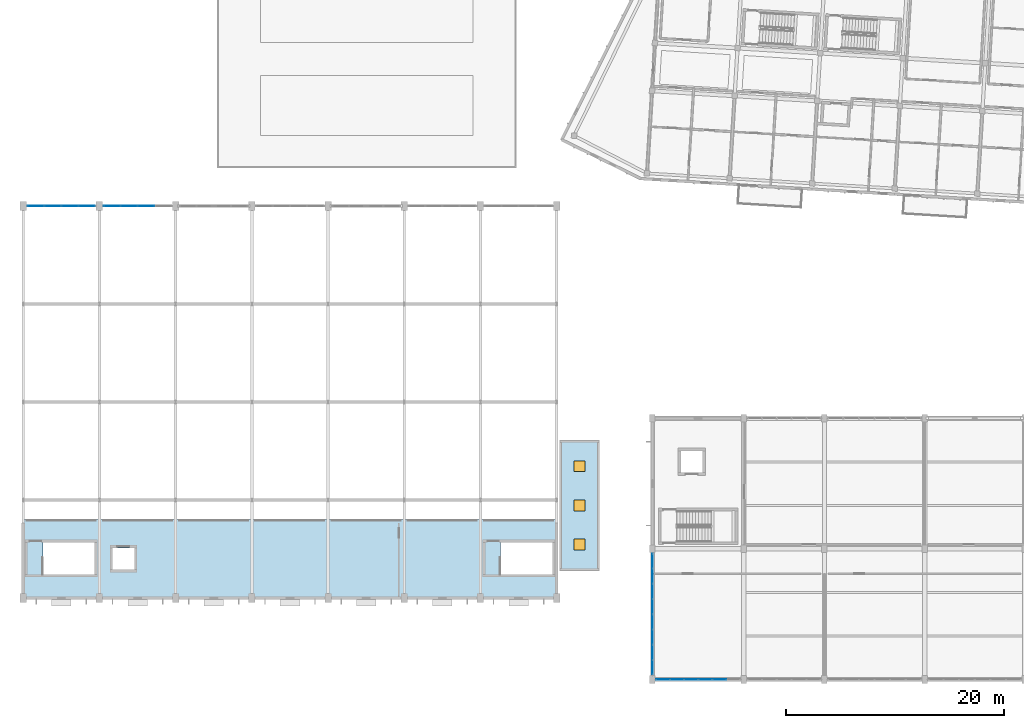
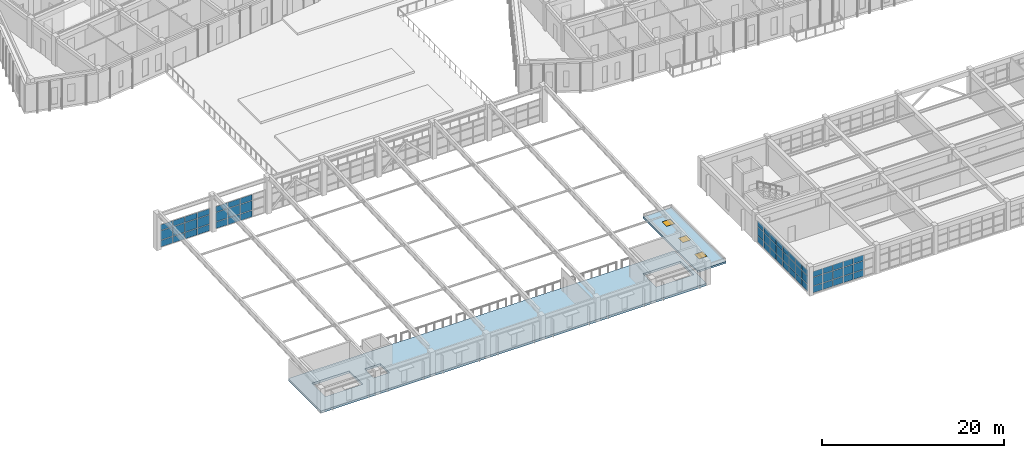
# One storey, part 67 of 150: 60 plates, 3 doors, 2 slabs, 3 openings, 4 elements without a shape of their own.
"""IFC4 building model written with IfcOpenShell, lengths in metres."""

from ifc_helpers import new_model, si_unit, direction, frame, origin, origin_2d, place, context, subcontext, project, spatial, polyline, rectangle, outline, extrude, material, layer, layer_set, type_object, element, fill, aggregate, save


model = new_model("IFC4")

# Units and contexts
model_context = context("Model", 3, precision=1e-05, world=origin(), true_north=direction((0.0, 1.0)))
body_context = subcontext(model_context, "Body", "Model", "MODEL_VIEW")
ifc_project = project(units=[si_unit("LENGTHUNIT", "METRE"), si_unit("AREAUNIT", "SQUARE_METRE"), si_unit("VOLUMEUNIT", "CUBIC_METRE"), si_unit("PLANEANGLEUNIT", "RADIAN"), si_unit("MASSUNIT", "GRAM", prefix="KILO")], contexts=[model_context])

# Site, building, storey
site_placement = place(None, origin())
site = spatial("IfcSite", under=ifc_project, at=site_placement, CompositionType="ELEMENT")
building_placement = place(site_placement, origin())
building = spatial("IfcBuilding", under=site, at=building_placement, Name="Kestramere Prow Commons", CompositionType="ELEMENT")
storey_placement = place(building_placement, frame((0.0, 0.0, 4.5)))
storey = spatial("IfcBuildingStorey", under=building, at=storey_placement, Name="L01", CompositionType="ELEMENT", Elevation=4.5)

# Curtain wall, plates
ifc_material_1 = material(Name="Anodised Aluminium and Low-E Glass", Category="aluminium")
curtain_wall_type_1 = type_object("IfcCurtainWallType", Name="CW-12 Glazed Curtain Wall 6300x3100", PredefinedType="USERDEFINED", material=ifc_material_1)
curtain_wall_1_placement = place(storey_placement, origin())
curtain_wall_1 = element("IfcCurtainWall", 1, at=curtain_wall_1_placement, inside=storey, type_object=curtain_wall_type_1, Name="Hall North Clerestory Curtain Wall L01-1", ObjectType="GLAZED CURTAIN WALL", PredefinedType="USERDEFINED")
ifc_material_2 = material(Name="Low-E Laminated Double Glazing", Category="glass")
ifc_layer_1 = layer(ifc_material_2, 0.028076171875)
ifc_layer_set_1 = layer_set([ifc_layer_1], Name="Low-E Laminated Double Glazing")
plate_type = type_object("IfcPlateType", Name="CW-PNL-28", PredefinedType="CURTAIN_PANEL", material=ifc_layer_set_1)
plate_1_placement = place(storey_placement, frame((3.353759765625, 43.5, 0.06494140625), z_axis=(0.0, 0.0, 1.0), x_axis=(1.0, 0.0, 0.0)))
plate_1 = element("IfcPlate", 2, at=plate_1_placement, type_object=plate_type, Name="CW-12 panel 1.1", PredefinedType="CURTAIN_PANEL", context=body_context, shape_type="SweptSolid", body=[
    extrude(rectangle(XDim=1.4775390625, YDim=0.028076171875, at=origin_2d()), origin(), (0.0, 0.0, 1.0), 0.8525390625),
])
plate_2_placement = place(storey_placement, frame((3.353759765625, 43.5, 0.982421875), z_axis=(0.0, 0.0, 1.0), x_axis=(1.0, 0.0, 0.0)))
plate_2 = element("IfcPlate", 3, at=plate_2_placement, type_object=plate_type, Name="CW-12 panel 1.2", PredefinedType="CURTAIN_PANEL", context=body_context, shape_type="SweptSolid", body=[
    extrude(rectangle(XDim=1.4775390625, YDim=0.028076171875, at=origin_2d()), origin(), (0.0, 0.0, 1.0), 1.235107421875),
])
plate_3_placement = place(storey_placement, frame((3.353759765625, 43.5, 2.282470703125), z_axis=(0.0, 0.0, 1.0), x_axis=(1.0, 0.0, 0.0)))
plate_3 = element("IfcPlate", 4, at=plate_3_placement, type_object=plate_type, Name="CW-12 panel 1.3", PredefinedType="CURTAIN_PANEL", context=body_context, shape_type="SweptSolid", body=[
    extrude(rectangle(XDim=1.4775390625, YDim=0.028076171875, at=origin_2d()), origin(), (0.0, 0.0, 1.0), 0.75244140625),
])
plate_4_placement = place(storey_placement, frame((4.91259765625, 43.5, 0.06494140625), z_axis=(0.0, 0.0, 1.0), x_axis=(1.0, 0.0, 0.0)))
plate_4 = element("IfcPlate", 5, at=plate_4_placement, type_object=plate_type, Name="CW-12 panel 2.1", PredefinedType="CURTAIN_PANEL", context=body_context, shape_type="SweptSolid", body=[
    extrude(rectangle(XDim=1.510009765625, YDim=0.028076171875, at=origin_2d()), origin(), (0.0, 0.0, 1.0), 0.8525390625),
])
plate_5_placement = place(storey_placement, frame((4.91259765625, 43.5, 0.982421875), z_axis=(0.0, 0.0, 1.0), x_axis=(1.0, 0.0, 0.0)))
plate_5 = element("IfcPlate", 6, at=plate_5_placement, type_object=plate_type, Name="CW-12 panel 2.2", PredefinedType="CURTAIN_PANEL", context=body_context, shape_type="SweptSolid", body=[
    extrude(rectangle(XDim=1.510009765625, YDim=0.028076171875, at=origin_2d()), origin(), (0.0, 0.0, 1.0), 1.235107421875),
])
plate_6_placement = place(storey_placement, frame((4.91259765625, 43.5, 2.282470703125), z_axis=(0.0, 0.0, 1.0), x_axis=(1.0, 0.0, 0.0)))
plate_6 = element("IfcPlate", 7, at=plate_6_placement, type_object=plate_type, Name="CW-12 panel 2.3", PredefinedType="CURTAIN_PANEL", context=body_context, shape_type="SweptSolid", body=[
    extrude(rectangle(XDim=1.510009765625, YDim=0.028076171875, at=origin_2d()), origin(), (0.0, 0.0, 1.0), 0.75244140625),
])
plate_7_placement = place(storey_placement, frame((6.487548828125, 43.5, 0.06494140625), z_axis=(0.0, 0.0, 1.0), x_axis=(1.0, 0.0, 0.0)))
plate_7 = element("IfcPlate", 8, at=plate_7_placement, type_object=plate_type, Name="CW-12 panel 3.1", PredefinedType="CURTAIN_PANEL", context=body_context, shape_type="SweptSolid", body=[
    extrude(rectangle(XDim=1.510009765625, YDim=0.028076171875, at=origin_2d()), origin(), (0.0, 0.0, 1.0), 0.8525390625),
])
plate_8_placement = place(storey_placement, frame((6.487548828125, 43.5, 0.982421875), z_axis=(0.0, 0.0, 1.0), x_axis=(1.0, 0.0, 0.0)))
plate_8 = element("IfcPlate", 9, at=plate_8_placement, type_object=plate_type, Name="CW-12 panel 3.2", PredefinedType="CURTAIN_PANEL", context=body_context, shape_type="SweptSolid", body=[
    extrude(rectangle(XDim=1.510009765625, YDim=0.028076171875, at=origin_2d()), origin(), (0.0, 0.0, 1.0), 1.235107421875),
])
plate_9_placement = place(storey_placement, frame((6.487548828125, 43.5, 2.282470703125), z_axis=(0.0, 0.0, 1.0), x_axis=(1.0, 0.0, 0.0)))
plate_9 = element("IfcPlate", 10, at=plate_9_placement, type_object=plate_type, Name="CW-12 panel 3.3", PredefinedType="CURTAIN_PANEL", context=body_context, shape_type="SweptSolid", body=[
    extrude(rectangle(XDim=1.510009765625, YDim=0.028076171875, at=origin_2d()), origin(), (0.0, 0.0, 1.0), 0.75244140625),
])
plate_10_placement = place(storey_placement, frame((8.046142578125, 43.5, 0.06494140625), z_axis=(0.0, 0.0, 1.0), x_axis=(1.0, 0.0, 0.0)))
plate_10 = element("IfcPlate", 11, at=plate_10_placement, type_object=plate_type, Name="CW-12 panel 4.1", PredefinedType="CURTAIN_PANEL", context=body_context, shape_type="SweptSolid", body=[
    extrude(rectangle(XDim=1.4775390625, YDim=0.028076171875, at=origin_2d()), origin(), (0.0, 0.0, 1.0), 0.8525390625),
])
plate_11_placement = place(storey_placement, frame((8.046142578125, 43.5, 0.982421875), z_axis=(0.0, 0.0, 1.0), x_axis=(1.0, 0.0, 0.0)))
plate_11 = element("IfcPlate", 12, at=plate_11_placement, type_object=plate_type, Name="CW-12 panel 4.2", PredefinedType="CURTAIN_PANEL", context=body_context, shape_type="SweptSolid", body=[
    extrude(rectangle(XDim=1.4775390625, YDim=0.028076171875, at=origin_2d()), origin(), (0.0, 0.0, 1.0), 1.235107421875),
])
plate_12_placement = place(storey_placement, frame((8.046142578125, 43.5, 2.282470703125), z_axis=(0.0, 0.0, 1.0), x_axis=(1.0, 0.0, 0.0)))
plate_12 = element("IfcPlate", 13, at=plate_12_placement, type_object=plate_type, Name="CW-12 panel 4.3", PredefinedType="CURTAIN_PANEL", context=body_context, shape_type="SweptSolid", body=[
    extrude(rectangle(XDim=1.4775390625, YDim=0.028076171875, at=origin_2d()), origin(), (0.0, 0.0, 1.0), 0.75244140625),
])
aggregate(curtain_wall_1, [plate_1, plate_2, plate_3, plate_4, plate_5, plate_6, plate_7, plate_8, plate_9, plate_10, plate_11, plate_12])

curtain_wall_2_placement = place(storey_placement, origin())
curtain_wall_2 = element("IfcCurtainWall", 14, at=curtain_wall_2_placement, inside=storey, type_object=curtain_wall_type_1, Name="Hall North Clerestory Curtain Wall L01-2", ObjectType="GLAZED CURTAIN WALL", PredefinedType="USERDEFINED")
plate_13_placement = place(storey_placement, frame((10.353759765625, 43.5, 0.06494140625), z_axis=(0.0, 0.0, 1.0), x_axis=(1.0, 0.0, 0.0)))
plate_13 = element("IfcPlate", 15, at=plate_13_placement, type_object=plate_type, Name="CW-12 panel 1.1", PredefinedType="CURTAIN_PANEL", context=body_context, shape_type="SweptSolid", body=[
    extrude(rectangle(XDim=1.4775390625, YDim=0.028076171875, at=origin_2d()), origin(), (0.0, 0.0, 1.0), 0.8525390625),
])
plate_14_placement = place(storey_placement, frame((10.353759765625, 43.5, 0.982421875), z_axis=(0.0, 0.0, 1.0), x_axis=(1.0, 0.0, 0.0)))
plate_14 = element("IfcPlate", 16, at=plate_14_placement, type_object=plate_type, Name="CW-12 panel 1.2", PredefinedType="CURTAIN_PANEL", context=body_context, shape_type="SweptSolid", body=[
    extrude(rectangle(XDim=1.4775390625, YDim=0.028076171875, at=origin_2d()), origin(), (0.0, 0.0, 1.0), 1.235107421875),
])
plate_15_placement = place(storey_placement, frame((10.353759765625, 43.5, 2.282470703125), z_axis=(0.0, 0.0, 1.0), x_axis=(1.0, 0.0, 0.0)))
plate_15 = element("IfcPlate", 17, at=plate_15_placement, type_object=plate_type, Name="CW-12 panel 1.3", PredefinedType="CURTAIN_PANEL", context=body_context, shape_type="SweptSolid", body=[
    extrude(rectangle(XDim=1.4775390625, YDim=0.028076171875, at=origin_2d()), origin(), (0.0, 0.0, 1.0), 0.75244140625),
])
plate_16_placement = place(storey_placement, frame((11.91259765625, 43.5, 0.06494140625), z_axis=(0.0, 0.0, 1.0), x_axis=(1.0, 0.0, 0.0)))
plate_16 = element("IfcPlate", 18, at=plate_16_placement, type_object=plate_type, Name="CW-12 panel 2.1", PredefinedType="CURTAIN_PANEL", context=body_context, shape_type="SweptSolid", body=[
    extrude(rectangle(XDim=1.510009765625, YDim=0.028076171875, at=origin_2d()), origin(), (0.0, 0.0, 1.0), 0.8525390625),
])
plate_17_placement = place(storey_placement, frame((11.91259765625, 43.5, 0.982421875), z_axis=(0.0, 0.0, 1.0), x_axis=(1.0, 0.0, 0.0)))
plate_17 = element("IfcPlate", 19, at=plate_17_placement, type_object=plate_type, Name="CW-12 panel 2.2", PredefinedType="CURTAIN_PANEL", context=body_context, shape_type="SweptSolid", body=[
    extrude(rectangle(XDim=1.510009765625, YDim=0.028076171875, at=origin_2d()), origin(), (0.0, 0.0, 1.0), 1.235107421875),
])
plate_18_placement = place(storey_placement, frame((11.91259765625, 43.5, 2.282470703125), z_axis=(0.0, 0.0, 1.0), x_axis=(1.0, 0.0, 0.0)))
plate_18 = element("IfcPlate", 20, at=plate_18_placement, type_object=plate_type, Name="CW-12 panel 2.3", PredefinedType="CURTAIN_PANEL", context=body_context, shape_type="SweptSolid", body=[
    extrude(rectangle(XDim=1.510009765625, YDim=0.028076171875, at=origin_2d()), origin(), (0.0, 0.0, 1.0), 0.75244140625),
])
plate_19_placement = place(storey_placement, frame((13.487548828125, 43.5, 0.06494140625), z_axis=(0.0, 0.0, 1.0), x_axis=(1.0, 0.0, 0.0)))
plate_19 = element("IfcPlate", 21, at=plate_19_placement, type_object=plate_type, Name="CW-12 panel 3.1", PredefinedType="CURTAIN_PANEL", context=body_context, shape_type="SweptSolid", body=[
    extrude(rectangle(XDim=1.510009765625, YDim=0.028076171875, at=origin_2d()), origin(), (0.0, 0.0, 1.0), 0.8525390625),
])
plate_20_placement = place(storey_placement, frame((13.487548828125, 43.5, 0.982421875), z_axis=(0.0, 0.0, 1.0), x_axis=(1.0, 0.0, 0.0)))
plate_20 = element("IfcPlate", 22, at=plate_20_placement, type_object=plate_type, Name="CW-12 panel 3.2", PredefinedType="CURTAIN_PANEL", context=body_context, shape_type="SweptSolid", body=[
    extrude(rectangle(XDim=1.510009765625, YDim=0.028076171875, at=origin_2d()), origin(), (0.0, 0.0, 1.0), 1.235107421875),
])
plate_21_placement = place(storey_placement, frame((13.487548828125, 43.5, 2.282470703125), z_axis=(0.0, 0.0, 1.0), x_axis=(1.0, 0.0, 0.0)))
plate_21 = element("IfcPlate", 23, at=plate_21_placement, type_object=plate_type, Name="CW-12 panel 3.3", PredefinedType="CURTAIN_PANEL", context=body_context, shape_type="SweptSolid", body=[
    extrude(rectangle(XDim=1.510009765625, YDim=0.028076171875, at=origin_2d()), origin(), (0.0, 0.0, 1.0), 0.75244140625),
])
aggregate(curtain_wall_2, [plate_13, plate_14, plate_15, plate_16, plate_17, plate_18, plate_19, plate_20, plate_21])

curtain_wall_type_2 = type_object("IfcCurtainWallType", Name="CW-23 Glazed Curtain Wall 7800x2990", PredefinedType="USERDEFINED", material=ifc_material_1)
curtain_wall_3_placement = place(storey_placement, origin())
curtain_wall_3 = element("IfcCurtainWall", 24, at=curtain_wall_3_placement, inside=storey, type_object=curtain_wall_type_2, Name="Market L01 South Shopfront 1", ObjectType="GLAZED CURTAIN WALL", PredefinedType="USERDEFINED")
plate_22_placement = place(storey_placement, frame((66.14990234375, 0.0, 0.06494140625), z_axis=(0.0, 0.0, 1.0), x_axis=(-1.0, 0.0, 0.0)))
plate_22 = element("IfcPlate", 25, at=plate_22_placement, type_object=plate_type, Name="CW-23 panel 2.1", PredefinedType="CURTAIN_PANEL", context=body_context, shape_type="SweptSolid", body=[
    extrude(rectangle(XDim=1.235107421875, YDim=0.028076171875, at=origin_2d()), origin(), (0.0, 0.0, 1.0), 0.8525390625),
])
plate_23_placement = place(storey_placement, frame((66.14990234375, 0.0, 0.982421875), z_axis=(0.0, 0.0, 1.0), x_axis=(-1.0, 0.0, 0.0)))
plate_23 = element("IfcPlate", 26, at=plate_23_placement, type_object=plate_type, Name="CW-23 panel 2.2", PredefinedType="CURTAIN_PANEL", context=body_context, shape_type="SweptSolid", body=[
    extrude(rectangle(XDim=1.235107421875, YDim=0.028076171875, at=origin_2d()), origin(), (0.0, 0.0, 1.0), 1.125),
])
plate_24_placement = place(storey_placement, frame((66.14990234375, 0.0, 2.172607421875), z_axis=(0.0, 0.0, 1.0), x_axis=(-1.0, 0.0, 0.0)))
plate_24 = element("IfcPlate", 27, at=plate_24_placement, type_object=plate_type, Name="CW-23 panel 2.3", PredefinedType="CURTAIN_PANEL", context=body_context, shape_type="SweptSolid", body=[
    extrude(rectangle(XDim=1.235107421875, YDim=0.028076171875, at=origin_2d()), origin(), (0.0, 0.0, 1.0), 0.75244140625),
])
plate_25_placement = place(storey_placement, frame((64.85009765625, 0.0, 0.06494140625), z_axis=(0.0, 0.0, 1.0), x_axis=(-1.0, 0.0, 0.0)))
plate_25 = element("IfcPlate", 28, at=plate_25_placement, type_object=plate_type, Name="CW-23 panel 3.1", PredefinedType="CURTAIN_PANEL", context=body_context, shape_type="SweptSolid", body=[
    extrude(rectangle(XDim=1.235107421875, YDim=0.028076171875, at=origin_2d()), origin(), (0.0, 0.0, 1.0), 0.8525390625),
])
plate_26_placement = place(storey_placement, frame((64.85009765625, 0.0, 0.982421875), z_axis=(0.0, 0.0, 1.0), x_axis=(-1.0, 0.0, 0.0)))
plate_26 = element("IfcPlate", 29, at=plate_26_placement, type_object=plate_type, Name="CW-23 panel 3.2", PredefinedType="CURTAIN_PANEL", context=body_context, shape_type="SweptSolid", body=[
    extrude(rectangle(XDim=1.235107421875, YDim=0.028076171875, at=origin_2d()), origin(), (0.0, 0.0, 1.0), 1.125),
])
plate_27_placement = place(storey_placement, frame((64.85009765625, 0.0, 2.172607421875), z_axis=(0.0, 0.0, 1.0), x_axis=(-1.0, 0.0, 0.0)))
plate_27 = element("IfcPlate", 30, at=plate_27_placement, type_object=plate_type, Name="CW-23 panel 3.3", PredefinedType="CURTAIN_PANEL", context=body_context, shape_type="SweptSolid", body=[
    extrude(rectangle(XDim=1.235107421875, YDim=0.028076171875, at=origin_2d()), origin(), (0.0, 0.0, 1.0), 0.75244140625),
])
plate_28_placement = place(storey_placement, frame((63.550048828125, 0.0, 0.06494140625), z_axis=(0.0, 0.0, 1.0), x_axis=(-1.0, 0.0, 0.0)))
plate_28 = element("IfcPlate", 31, at=plate_28_placement, type_object=plate_type, Name="CW-23 panel 4.1", PredefinedType="CURTAIN_PANEL", context=body_context, shape_type="SweptSolid", body=[
    extrude(rectangle(XDim=1.235107421875, YDim=0.028076171875, at=origin_2d()), origin(), (0.0, 0.0, 1.0), 0.8525390625),
])
plate_29_placement = place(storey_placement, frame((63.550048828125, 0.0, 0.982421875), z_axis=(0.0, 0.0, 1.0), x_axis=(-1.0, 0.0, 0.0)))
plate_29 = element("IfcPlate", 32, at=plate_29_placement, type_object=plate_type, Name="CW-23 panel 4.2", PredefinedType="CURTAIN_PANEL", context=body_context, shape_type="SweptSolid", body=[
    extrude(rectangle(XDim=1.235107421875, YDim=0.028076171875, at=origin_2d()), origin(), (0.0, 0.0, 1.0), 1.125),
])
plate_30_placement = place(storey_placement, frame((63.550048828125, 0.0, 2.172607421875), z_axis=(0.0, 0.0, 1.0), x_axis=(-1.0, 0.0, 0.0)))
plate_30 = element("IfcPlate", 33, at=plate_30_placement, type_object=plate_type, Name="CW-23 panel 4.3", PredefinedType="CURTAIN_PANEL", context=body_context, shape_type="SweptSolid", body=[
    extrude(rectangle(XDim=1.235107421875, YDim=0.028076171875, at=origin_2d()), origin(), (0.0, 0.0, 1.0), 0.75244140625),
])
plate_31_placement = place(storey_placement, frame((62.25, 0.0, 0.06494140625), z_axis=(0.0, 0.0, 1.0), x_axis=(-1.0, 0.0, 0.0)))
plate_31 = element("IfcPlate", 34, at=plate_31_placement, type_object=plate_type, Name="CW-23 panel 5.1", PredefinedType="CURTAIN_PANEL", context=body_context, shape_type="SweptSolid", body=[
    extrude(rectangle(XDim=1.235107421875, YDim=0.028076171875, at=origin_2d()), origin(), (0.0, 0.0, 1.0), 0.8525390625),
])
plate_32_placement = place(storey_placement, frame((62.25, 0.0, 0.982421875), z_axis=(0.0, 0.0, 1.0), x_axis=(-1.0, 0.0, 0.0)))
plate_32 = element("IfcPlate", 35, at=plate_32_placement, type_object=plate_type, Name="CW-23 panel 5.2", PredefinedType="CURTAIN_PANEL", context=body_context, shape_type="SweptSolid", body=[
    extrude(rectangle(XDim=1.235107421875, YDim=0.028076171875, at=origin_2d()), origin(), (0.0, 0.0, 1.0), 1.125),
])
plate_33_placement = place(storey_placement, frame((62.25, 0.0, 2.172607421875), z_axis=(0.0, 0.0, 1.0), x_axis=(-1.0, 0.0, 0.0)))
plate_33 = element("IfcPlate", 36, at=plate_33_placement, type_object=plate_type, Name="CW-23 panel 5.3", PredefinedType="CURTAIN_PANEL", context=body_context, shape_type="SweptSolid", body=[
    extrude(rectangle(XDim=1.235107421875, YDim=0.028076171875, at=origin_2d()), origin(), (0.0, 0.0, 1.0), 0.75244140625),
])
plate_34_placement = place(storey_placement, frame((60.96630859375, 0.0, 0.06494140625), z_axis=(0.0, 0.0, 1.0), x_axis=(-1.0, 0.0, 0.0)))
plate_34 = element("IfcPlate", 37, at=plate_34_placement, type_object=plate_type, Name="CW-23 panel 6.1", PredefinedType="CURTAIN_PANEL", context=body_context, shape_type="SweptSolid", body=[
    extrude(rectangle(XDim=1.202392578125, YDim=0.028076171875, at=origin_2d()), origin(), (0.0, 0.0, 1.0), 0.8525390625),
])
plate_35_placement = place(storey_placement, frame((60.96630859375, 0.0, 0.982421875), z_axis=(0.0, 0.0, 1.0), x_axis=(-1.0, 0.0, 0.0)))
plate_35 = element("IfcPlate", 38, at=plate_35_placement, type_object=plate_type, Name="CW-23 panel 6.2", PredefinedType="CURTAIN_PANEL", context=body_context, shape_type="SweptSolid", body=[
    extrude(rectangle(XDim=1.202392578125, YDim=0.028076171875, at=origin_2d()), origin(), (0.0, 0.0, 1.0), 1.125),
])
plate_36_placement = place(storey_placement, frame((60.96630859375, 0.0, 2.172607421875), z_axis=(0.0, 0.0, 1.0), x_axis=(-1.0, 0.0, 0.0)))
plate_36 = element("IfcPlate", 39, at=plate_36_placement, type_object=plate_type, Name="CW-23 panel 6.3", PredefinedType="CURTAIN_PANEL", context=body_context, shape_type="SweptSolid", body=[
    extrude(rectangle(XDim=1.202392578125, YDim=0.028076171875, at=origin_2d()), origin(), (0.0, 0.0, 1.0), 0.75244140625),
])
aggregate(curtain_wall_3, [plate_22, plate_23, plate_24, plate_25, plate_26, plate_27, plate_28, plate_29, plate_30, plate_31, plate_32, plate_33, plate_34, plate_35, plate_36])

curtain_wall_type_3 = type_object("IfcCurtainWallType", Name="CW-27 Glazed Curtain Wall 11200x2990", PredefinedType="USERDEFINED", material=ifc_material_1)
curtain_wall_4_placement = place(storey_placement, origin())
curtain_wall_4 = element("IfcCurtainWall", 40, at=curtain_wall_4_placement, inside=storey, type_object=curtain_wall_type_3, Name="Market L01 W Glazing", ObjectType="GLAZED CURTAIN WALL", PredefinedType="USERDEFINED")
plate_37_placement = place(storey_placement, frame((60.0, 1.1162109375, 0.06494140625), z_axis=(0.0, 0.0, 1.0), x_axis=(0.0, 1.0, 0.0)))
plate_37 = element("IfcPlate", 41, at=plate_37_placement, type_object=plate_type, Name="CW-27 panel 1.1", PredefinedType="CURTAIN_PANEL", context=body_context, shape_type="SweptSolid", body=[
    extrude(rectangle(XDim=1.302490234375, YDim=0.028076171875, at=origin_2d()), origin(), (0.0, 0.0, 1.0), 0.8525390625),
])
plate_38_placement = place(storey_placement, frame((60.0, 1.1162109375, 0.982421875), z_axis=(0.0, 0.0, 1.0), x_axis=(0.0, 1.0, 0.0)))
plate_38 = element("IfcPlate", 42, at=plate_38_placement, type_object=plate_type, Name="CW-27 panel 1.2", PredefinedType="CURTAIN_PANEL", context=body_context, shape_type="SweptSolid", body=[
    extrude(rectangle(XDim=1.302490234375, YDim=0.028076171875, at=origin_2d()), origin(), (0.0, 0.0, 1.0), 1.125),
])
plate_39_placement = place(storey_placement, frame((60.0, 1.1162109375, 2.172607421875), z_axis=(0.0, 0.0, 1.0), x_axis=(0.0, 1.0, 0.0)))
plate_39 = element("IfcPlate", 43, at=plate_39_placement, type_object=plate_type, Name="CW-27 panel 1.3", PredefinedType="CURTAIN_PANEL", context=body_context, shape_type="SweptSolid", body=[
    extrude(rectangle(XDim=1.302490234375, YDim=0.028076171875, at=origin_2d()), origin(), (0.0, 0.0, 1.0), 0.75244140625),
])
plate_40_placement = place(storey_placement, frame((60.0, 2.5, 0.06494140625), z_axis=(0.0, 0.0, 1.0), x_axis=(0.0, 1.0, 0.0)))
plate_40 = element("IfcPlate", 44, at=plate_40_placement, type_object=plate_type, Name="CW-27 panel 2.1", PredefinedType="CURTAIN_PANEL", context=body_context, shape_type="SweptSolid", body=[
    extrude(rectangle(XDim=1.3349609375, YDim=0.028076171875, at=origin_2d()), origin(), (0.0, 0.0, 1.0), 0.8525390625),
])
plate_41_placement = place(storey_placement, frame((60.0, 2.5, 0.982421875), z_axis=(0.0, 0.0, 1.0), x_axis=(0.0, 1.0, 0.0)))
plate_41 = element("IfcPlate", 45, at=plate_41_placement, type_object=plate_type, Name="CW-27 panel 2.2", PredefinedType="CURTAIN_PANEL", context=body_context, shape_type="SweptSolid", body=[
    extrude(rectangle(XDim=1.3349609375, YDim=0.028076171875, at=origin_2d()), origin(), (0.0, 0.0, 1.0), 1.125),
])
plate_42_placement = place(storey_placement, frame((60.0, 2.5, 2.172607421875), z_axis=(0.0, 0.0, 1.0), x_axis=(0.0, 1.0, 0.0)))
plate_42 = element("IfcPlate", 46, at=plate_42_placement, type_object=plate_type, Name="CW-27 panel 2.3", PredefinedType="CURTAIN_PANEL", context=body_context, shape_type="SweptSolid", body=[
    extrude(rectangle(XDim=1.3349609375, YDim=0.028076171875, at=origin_2d()), origin(), (0.0, 0.0, 1.0), 0.75244140625),
])
plate_43_placement = place(storey_placement, frame((60.0, 3.89990234375, 0.06494140625), z_axis=(0.0, 0.0, 1.0), x_axis=(0.0, 1.0, 0.0)))
plate_43 = element("IfcPlate", 47, at=plate_43_placement, type_object=plate_type, Name="CW-27 panel 3.1", PredefinedType="CURTAIN_PANEL", context=body_context, shape_type="SweptSolid", body=[
    extrude(rectangle(XDim=1.3349609375, YDim=0.028076171875, at=origin_2d()), origin(), (0.0, 0.0, 1.0), 0.8525390625),
])
plate_44_placement = place(storey_placement, frame((60.0, 3.89990234375, 0.982421875), z_axis=(0.0, 0.0, 1.0), x_axis=(0.0, 1.0, 0.0)))
plate_44 = element("IfcPlate", 48, at=plate_44_placement, type_object=plate_type, Name="CW-27 panel 3.2", PredefinedType="CURTAIN_PANEL", context=body_context, shape_type="SweptSolid", body=[
    extrude(rectangle(XDim=1.3349609375, YDim=0.028076171875, at=origin_2d()), origin(), (0.0, 0.0, 1.0), 1.125),
])
plate_45_placement = place(storey_placement, frame((60.0, 3.89990234375, 2.172607421875), z_axis=(0.0, 0.0, 1.0), x_axis=(0.0, 1.0, 0.0)))
plate_45 = element("IfcPlate", 49, at=plate_45_placement, type_object=plate_type, Name="CW-27 panel 3.3", PredefinedType="CURTAIN_PANEL", context=body_context, shape_type="SweptSolid", body=[
    extrude(rectangle(XDim=1.3349609375, YDim=0.028076171875, at=origin_2d()), origin(), (0.0, 0.0, 1.0), 0.75244140625),
])
plate_46_placement = place(storey_placement, frame((60.0, 5.300048828125, 0.06494140625), z_axis=(0.0, 0.0, 1.0), x_axis=(0.0, 1.0, 0.0)))
plate_46 = element("IfcPlate", 50, at=plate_46_placement, type_object=plate_type, Name="CW-27 panel 4.1", PredefinedType="CURTAIN_PANEL", context=body_context, shape_type="SweptSolid", body=[
    extrude(rectangle(XDim=1.3349609375, YDim=0.028076171875, at=origin_2d()), origin(), (0.0, 0.0, 1.0), 0.8525390625),
])
plate_47_placement = place(storey_placement, frame((60.0, 5.300048828125, 0.982421875), z_axis=(0.0, 0.0, 1.0), x_axis=(0.0, 1.0, 0.0)))
plate_47 = element("IfcPlate", 51, at=plate_47_placement, type_object=plate_type, Name="CW-27 panel 4.2", PredefinedType="CURTAIN_PANEL", context=body_context, shape_type="SweptSolid", body=[
    extrude(rectangle(XDim=1.3349609375, YDim=0.028076171875, at=origin_2d()), origin(), (0.0, 0.0, 1.0), 1.125),
])
plate_48_placement = place(storey_placement, frame((60.0, 5.300048828125, 2.172607421875), z_axis=(0.0, 0.0, 1.0), x_axis=(0.0, 1.0, 0.0)))
plate_48 = element("IfcPlate", 52, at=plate_48_placement, type_object=plate_type, Name="CW-27 panel 4.3", PredefinedType="CURTAIN_PANEL", context=body_context, shape_type="SweptSolid", body=[
    extrude(rectangle(XDim=1.3349609375, YDim=0.028076171875, at=origin_2d()), origin(), (0.0, 0.0, 1.0), 0.75244140625),
])
plate_49_placement = place(storey_placement, frame((60.0, 6.699951171875, 0.06494140625), z_axis=(0.0, 0.0, 1.0), x_axis=(0.0, 1.0, 0.0)))
plate_49 = element("IfcPlate", 53, at=plate_49_placement, type_object=plate_type, Name="CW-27 panel 5.1", PredefinedType="CURTAIN_PANEL", context=body_context, shape_type="SweptSolid", body=[
    extrude(rectangle(XDim=1.3349609375, YDim=0.028076171875, at=origin_2d()), origin(), (0.0, 0.0, 1.0), 0.8525390625),
])
plate_50_placement = place(storey_placement, frame((60.0, 6.699951171875, 0.982421875), z_axis=(0.0, 0.0, 1.0), x_axis=(0.0, 1.0, 0.0)))
plate_50 = element("IfcPlate", 54, at=plate_50_placement, type_object=plate_type, Name="CW-27 panel 5.2", PredefinedType="CURTAIN_PANEL", context=body_context, shape_type="SweptSolid", body=[
    extrude(rectangle(XDim=1.3349609375, YDim=0.028076171875, at=origin_2d()), origin(), (0.0, 0.0, 1.0), 1.125),
])
plate_51_placement = place(storey_placement, frame((60.0, 6.699951171875, 2.172607421875), z_axis=(0.0, 0.0, 1.0), x_axis=(0.0, 1.0, 0.0)))
plate_51 = element("IfcPlate", 55, at=plate_51_placement, type_object=plate_type, Name="CW-27 panel 5.3", PredefinedType="CURTAIN_PANEL", context=body_context, shape_type="SweptSolid", body=[
    extrude(rectangle(XDim=1.3349609375, YDim=0.028076171875, at=origin_2d()), origin(), (0.0, 0.0, 1.0), 0.75244140625),
])
plate_52_placement = place(storey_placement, frame((60.0, 8.10009765625, 0.06494140625), z_axis=(0.0, 0.0, 1.0), x_axis=(0.0, 1.0, 0.0)))
plate_52 = element("IfcPlate", 56, at=plate_52_placement, type_object=plate_type, Name="CW-27 panel 6.1", PredefinedType="CURTAIN_PANEL", context=body_context, shape_type="SweptSolid", body=[
    extrude(rectangle(XDim=1.3349609375, YDim=0.028076171875, at=origin_2d()), origin(), (0.0, 0.0, 1.0), 0.8525390625),
])
plate_53_placement = place(storey_placement, frame((60.0, 8.10009765625, 0.982421875), z_axis=(0.0, 0.0, 1.0), x_axis=(0.0, 1.0, 0.0)))
plate_53 = element("IfcPlate", 57, at=plate_53_placement, type_object=plate_type, Name="CW-27 panel 6.2", PredefinedType="CURTAIN_PANEL", context=body_context, shape_type="SweptSolid", body=[
    extrude(rectangle(XDim=1.3349609375, YDim=0.028076171875, at=origin_2d()), origin(), (0.0, 0.0, 1.0), 1.125),
])
plate_54_placement = place(storey_placement, frame((60.0, 8.10009765625, 2.172607421875), z_axis=(0.0, 0.0, 1.0), x_axis=(0.0, 1.0, 0.0)))
plate_54 = element("IfcPlate", 58, at=plate_54_placement, type_object=plate_type, Name="CW-27 panel 6.3", PredefinedType="CURTAIN_PANEL", context=body_context, shape_type="SweptSolid", body=[
    extrude(rectangle(XDim=1.3349609375, YDim=0.028076171875, at=origin_2d()), origin(), (0.0, 0.0, 1.0), 0.75244140625),
])
plate_55_placement = place(storey_placement, frame((60.0, 9.5, 0.06494140625), z_axis=(0.0, 0.0, 1.0), x_axis=(0.0, 1.0, 0.0)))
plate_55 = element("IfcPlate", 59, at=plate_55_placement, type_object=plate_type, Name="CW-27 panel 7.1", PredefinedType="CURTAIN_PANEL", context=body_context, shape_type="SweptSolid", body=[
    extrude(rectangle(XDim=1.3349609375, YDim=0.028076171875, at=origin_2d()), origin(), (0.0, 0.0, 1.0), 0.8525390625),
])
plate_56_placement = place(storey_placement, frame((60.0, 9.5, 0.982421875), z_axis=(0.0, 0.0, 1.0), x_axis=(0.0, 1.0, 0.0)))
plate_56 = element("IfcPlate", 60, at=plate_56_placement, type_object=plate_type, Name="CW-27 panel 7.2", PredefinedType="CURTAIN_PANEL", context=body_context, shape_type="SweptSolid", body=[
    extrude(rectangle(XDim=1.3349609375, YDim=0.028076171875, at=origin_2d()), origin(), (0.0, 0.0, 1.0), 1.125),
])
plate_57_placement = place(storey_placement, frame((60.0, 9.5, 2.172607421875), z_axis=(0.0, 0.0, 1.0), x_axis=(0.0, 1.0, 0.0)))
plate_57 = element("IfcPlate", 61, at=plate_57_placement, type_object=plate_type, Name="CW-27 panel 7.3", PredefinedType="CURTAIN_PANEL", context=body_context, shape_type="SweptSolid", body=[
    extrude(rectangle(XDim=1.3349609375, YDim=0.028076171875, at=origin_2d()), origin(), (0.0, 0.0, 1.0), 0.75244140625),
])
plate_58_placement = place(storey_placement, frame((60.0, 10.8837890625, 0.06494140625), z_axis=(0.0, 0.0, 1.0), x_axis=(0.0, 1.0, 0.0)))
plate_58 = element("IfcPlate", 62, at=plate_58_placement, type_object=plate_type, Name="CW-27 panel 8.1", PredefinedType="CURTAIN_PANEL", context=body_context, shape_type="SweptSolid", body=[
    extrude(rectangle(XDim=1.302490234375, YDim=0.028076171875, at=origin_2d()), origin(), (0.0, 0.0, 1.0), 0.8525390625),
])
plate_59_placement = place(storey_placement, frame((60.0, 10.8837890625, 0.982421875), z_axis=(0.0, 0.0, 1.0), x_axis=(0.0, 1.0, 0.0)))
plate_59 = element("IfcPlate", 63, at=plate_59_placement, type_object=plate_type, Name="CW-27 panel 8.2", PredefinedType="CURTAIN_PANEL", context=body_context, shape_type="SweptSolid", body=[
    extrude(rectangle(XDim=1.302490234375, YDim=0.028076171875, at=origin_2d()), origin(), (0.0, 0.0, 1.0), 1.125),
])
plate_60_placement = place(storey_placement, frame((60.0, 10.8837890625, 2.172607421875), z_axis=(0.0, 0.0, 1.0), x_axis=(0.0, 1.0, 0.0)))
plate_60 = element("IfcPlate", 64, at=plate_60_placement, type_object=plate_type, Name="CW-27 panel 8.3", PredefinedType="CURTAIN_PANEL", context=body_context, shape_type="SweptSolid", body=[
    extrude(rectangle(XDim=1.302490234375, YDim=0.028076171875, at=origin_2d()), origin(), (0.0, 0.0, 1.0), 0.75244140625),
])
aggregate(curtain_wall_4, [plate_37, plate_38, plate_39, plate_40, plate_41, plate_42, plate_43, plate_44, plate_45, plate_46, plate_47, plate_48, plate_49, plate_50, plate_51, plate_52, plate_53, plate_54, plate_55, plate_56, plate_57, plate_58, plate_59, plate_60])

# Slab
ifc_material_3 = material(Name="Precast concrete C40/50", Category="concrete")
ifc_layer_2 = layer(ifc_material_3, 0.300048828125)
ifc_layer_set_2 = layer_set([ifc_layer_2], Name="Precast concrete C40/50")
slab_type_1 = type_object("IfcSlabType", Name="SL-CIV-300", PredefinedType="FLOOR", material=ifc_layer_set_2)
slab_1_placement = place(storey_placement, frame((0.0, 0.0, -0.300048828125)))
element("IfcSlab", 65, at=slab_1_placement, inside=storey, type_object=slab_type_1, Name="Community Hall L01 Viewing Gallery Slab", PredefinedType="FLOOR", context=body_context, shape_type="SweptSolid", body=[
    extrude(outline(polyline([(2.199951171875, 7.5), (51.199951171875, 7.5), (51.199951171875, 14.699951171875), (2.199951171875, 14.699951171875), (2.199951171875, 7.5)]), holes=[polyline([(10.39990234375, 10.10009765625), (12.39990234375, 10.10009765625), (12.39990234375, 12.10009765625), (10.39990234375, 12.10009765625), (10.39990234375, 10.10009765625)]), polyline([(4.0, 9.64990234375), (8.75, 9.64990234375), (8.75, 12.60009765625), (4.0, 12.60009765625), (4.0, 9.64990234375)]), polyline([(46.050048828125, 9.64990234375), (50.800048828125, 9.64990234375), (50.800048828125, 12.60009765625), (46.050048828125, 12.60009765625), (46.050048828125, 9.64990234375)])]), origin(), (0.0, 0.0, 1.0), 0.300048828125),
])

# Slab, openings, doors
ifc_layer_3 = layer(ifc_material_3, 0.25)
ifc_layer_set_3 = layer_set([ifc_layer_3], Name="Precast concrete C40/50")
slab_type_2 = type_object("IfcSlabType", Name="SL-ROOF-FLAT-250", PredefinedType="ROOF", material=ifc_layer_set_3)
slab_2_placement = place(storey_placement, frame((0.0, 0.0, -0.199951171875)))
slab_2 = element("IfcSlab", 66, at=slab_2_placement, inside=storey, type_object=slab_type_2, Name="West Colonnade Link Canopy Roof Slab", PredefinedType="ROOF", context=body_context, shape_type="SweptSolid", body=[
    extrude(outline(polyline([(51.5, 10.0), (55.10009765625, 10.0), (55.10009765625, 22.0), (51.5, 22.0), (51.5, 10.0)])), origin(), (0.0, 0.0, 1.0), 0.25),
])
opening_1_placement = place(slab_2_placement, frame((53.300048828125, 12.39990234375, 0.0), z_axis=(0.0, 0.0, 1.0), x_axis=(1.0, 0.0, 0.0)))
opening_1 = element("IfcOpeningElement", 67, at=opening_1_placement, cuts=slab_2, Name="Opening RH-01", PredefinedType="OPENING", context=body_context, shape_type="SweptSolid", body=[
    extrude(rectangle(XDim=1.0, YDim=1.0, at=origin_2d()), frame((0.0, 0.0, -0.014892578125)), (0.0, 0.0, 1.0), 0.280029296875),
])
opening_2_placement = place(slab_2_placement, frame((53.300048828125, 16.0, 0.0), z_axis=(0.0, 0.0, 1.0), x_axis=(1.0, 0.0, 0.0)))
opening_2 = element("IfcOpeningElement", 68, at=opening_2_placement, cuts=slab_2, Name="Opening RH-01", PredefinedType="OPENING", context=body_context, shape_type="SweptSolid", body=[
    extrude(rectangle(XDim=1.0, YDim=1.0, at=origin_2d()), frame((0.0, 0.0, -0.014892578125)), (0.0, 0.0, 1.0), 0.280029296875),
])
opening_3_placement = place(slab_2_placement, frame((53.300048828125, 19.60009765625, 0.0), z_axis=(0.0, 0.0, 1.0), x_axis=(1.0, 0.0, 0.0)))
opening_3 = element("IfcOpeningElement", 69, at=opening_3_placement, cuts=slab_2, Name="Opening RH-01", PredefinedType="OPENING", context=body_context, shape_type="SweptSolid", body=[
    extrude(rectangle(XDim=1.0, YDim=1.0, at=origin_2d()), frame((0.0, 0.0, -0.014892578125)), (0.0, 0.0, 1.0), 0.280029296875),
])
ifc_material_4 = material(Name="Galvanised Steel S275JR", Category="steel")
door_type = type_object("IfcDoorType", Name="RH-TRAP-1000", OperationType="SINGLE_SWING_LEFT", PredefinedType="TRAPDOOR", material=ifc_material_4)
door_1_placement = place(opening_1_placement, frame((0.0, 0.0, 0.199951171875)))
door_1 = element("IfcDoor", 70, at=door_1_placement, inside=storey, type_object=door_type, Name="West Canopy Maintenance Roof Hatch 1", OperationType="SINGLE_SWING_LEFT", OverallHeight=1.0, OverallWidth=1.0, PredefinedType="TRAPDOOR", context=body_context, shape_type="SweptSolid", body=[
    extrude(rectangle(XDim=1.0, YDim=1.0, at=origin_2d()), origin(), (0.0, 0.0, 1.0), 0.050048828125),
])
fill(opening_1, door_1)
door_2_placement = place(opening_2_placement, frame((0.0, 0.0, 0.199951171875)))
door_2 = element("IfcDoor", 71, at=door_2_placement, inside=storey, type_object=door_type, Name="West Canopy Maintenance Roof Hatch 2", OperationType="SINGLE_SWING_LEFT", OverallHeight=1.0, OverallWidth=1.0, PredefinedType="TRAPDOOR", context=body_context, shape_type="SweptSolid", body=[
    extrude(rectangle(XDim=1.0, YDim=1.0, at=origin_2d()), origin(), (0.0, 0.0, 1.0), 0.050048828125),
])
fill(opening_2, door_2)
door_3_placement = place(opening_3_placement, frame((0.0, 0.0, 0.199951171875)))
door_3 = element("IfcDoor", 72, at=door_3_placement, inside=storey, type_object=door_type, Name="West Canopy Maintenance Roof Hatch 3", OperationType="SINGLE_SWING_LEFT", OverallHeight=1.0, OverallWidth=1.0, PredefinedType="TRAPDOOR", context=body_context, shape_type="SweptSolid", body=[
    extrude(rectangle(XDim=1.0, YDim=1.0, at=origin_2d()), origin(), (0.0, 0.0, 1.0), 0.050048828125),
])
fill(opening_3, door_3)

save(model, "model.ifc")
